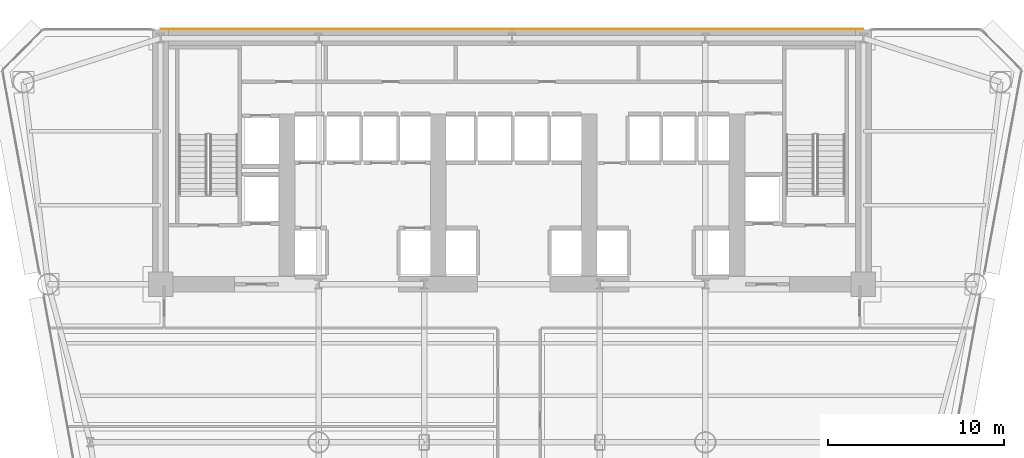
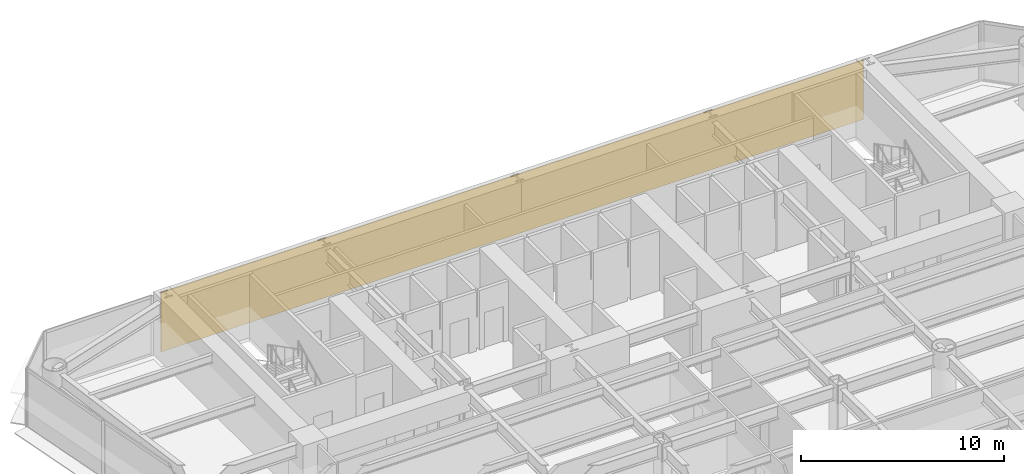
# One storey, part 13 of 14: 1 covering.
"""IFC4 building model written with IfcOpenShell, lengths in metres."""

from ifc_helpers import new_model, si_unit, direction, frame, origin, place, context, subcontext, project, spatial, polyline, outline, extrude, material, layer, layer_set, type_object, element, save


model = new_model("IFC4")

# Units and contexts
model_context = context("Model", 3, precision=1e-05, world=origin(), true_north=direction((0.0, 1.0)))
body_context = subcontext(model_context, "Body", "Model", "MODEL_VIEW")
ifc_project = project(units=[si_unit("LENGTHUNIT", "METRE"), si_unit("AREAUNIT", "SQUARE_METRE"), si_unit("VOLUMEUNIT", "CUBIC_METRE"), si_unit("PLANEANGLEUNIT", "RADIAN"), si_unit("MASSUNIT", "GRAM", prefix="KILO")], contexts=[model_context])

# Site, building, storey
site_placement = place(None, origin())
site = spatial("IfcSite", under=ifc_project, at=site_placement, CompositionType="ELEMENT")
building_placement = place(site_placement, origin())
building = spatial("IfcBuilding", under=site, at=building_placement, Name="Vaeldorn Concourse Tower", CompositionType="ELEMENT")
storey_placement = place(building_placement, frame((0.0, 0.0, 68.199951171875)))
storey = spatial("IfcBuildingStorey", under=building, at=storey_placement, Name="L17", CompositionType="ELEMENT", Elevation=68.199951171875)

# Covering
ifc_material = material(Name="Anodised Bronze Aluminium", Category="aluminium")
ifc_layer = layer(ifc_material, 0.050048828125)
ifc_layer_set = layer_set([ifc_layer], Name="Anodised Bronze Aluminium")
covering_type = type_object("IfcCoveringType", Name="COV-CLAD-BRONZE", PredefinedType="CLADDING", material=ifc_layer_set)
covering_placement = place(storey_placement, origin())
element("IfcCovering", 1, at=covering_placement, inside=storey, type_object=covering_type, Name="Rear Core Bronze Spandrel Cladding L17", PredefinedType="CLADDING", context=body_context, shape_type="SweptSolid", body=[
    extrude(outline(polyline([(14.0, 51.0), (54.0, 51.0), (54.0, 51.050048828125), (14.0, 51.050048828125), (14.0, 51.0)])), origin(), (0.0, 0.0, 1.0), 3.580078125),
])

save(model, "model.ifc")
